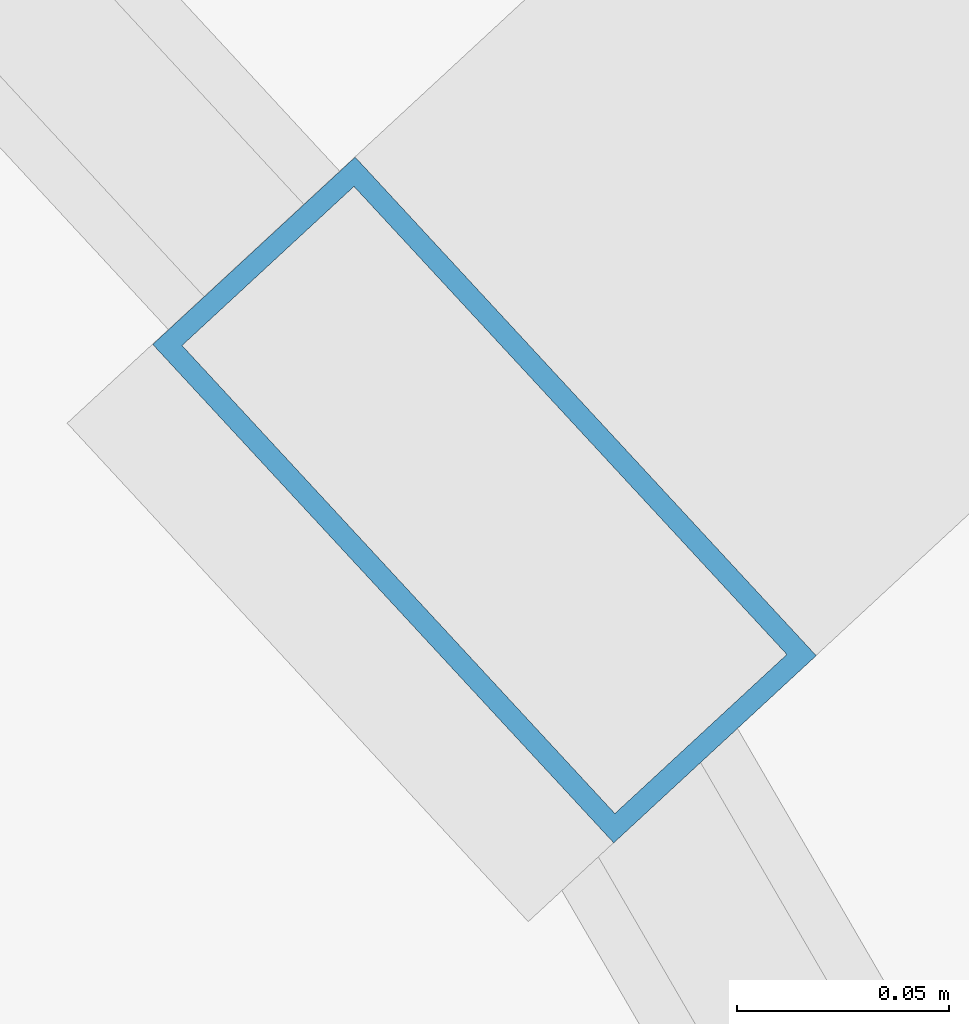
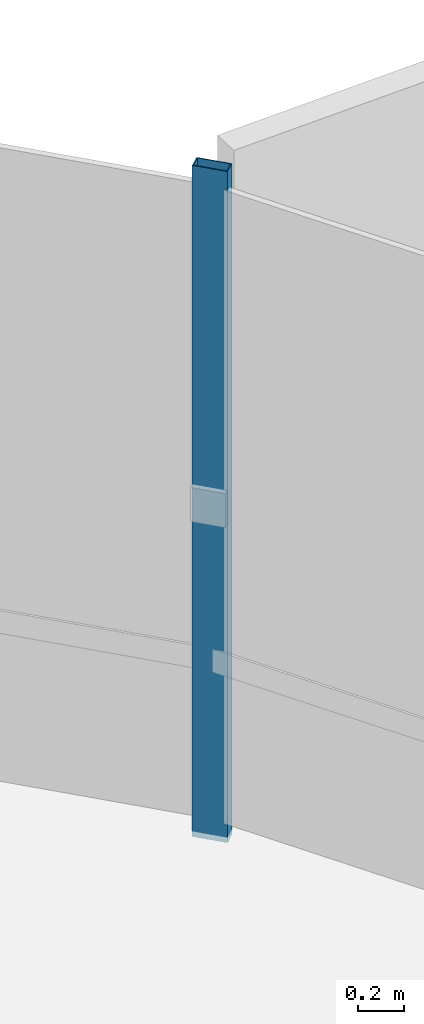
# One storey, part 24 of 38: 1 member, 1 element without a shape of its own.
"""IFC4 building model written with IfcOpenShell, lengths in metres."""

from ifc_helpers import new_model, si_unit, direction, frame, origin, origin_2d, place, context, subcontext, project, spatial, hollow_rectangle, extrude, source, transform, mapped, material, layer, layer_set, material_profile, profile_set, type_object, element, aggregate, save


model = new_model("IFC4")

# Units and contexts
model_context = context("Model", 3, precision=1e-05, world=origin(), true_north=direction((0.0, 1.0)))
body_context = subcontext(model_context, "Body", "Model", "MODEL_VIEW")
ifc_project = project(units=[si_unit("LENGTHUNIT", "METRE"), si_unit("AREAUNIT", "SQUARE_METRE"), si_unit("VOLUMEUNIT", "CUBIC_METRE"), si_unit("PLANEANGLEUNIT", "RADIAN"), si_unit("MASSUNIT", "GRAM", prefix="KILO"), si_unit("THERMODYNAMICTEMPERATUREUNIT", "KELVIN")], contexts=[model_context])

# Site, building, storey
site_placement = place(None, origin())
site = spatial("IfcSite", under=ifc_project, at=site_placement, CompositionType="ELEMENT")
building_placement = place(site_placement, origin())
building = spatial("IfcBuilding", under=site, at=building_placement, Name="Kethvar Cultural Tower", CompositionType="ELEMENT")
storey_placement = place(building_placement, frame((0.0, 0.0, 63.800048828125)))
storey = spatial("IfcBuildingStorey", under=building, at=storey_placement, Name="L15", CompositionType="ELEMENT", Elevation=63.800048828125)

# Curtain wall, member
ifc_material = material(Name="Aluminium 6063-T6", Category="aluminium")
ifc_layer = layer(ifc_material, 0.179931640625, Name="Aluminium 6063-T6", Category="aluminium")
ifc_layer_set = layer_set([ifc_layer], Name="Aluminium 6063-T6 (180 mm)")
curtain_wall_type = type_object("IfcCurtainWallType", Name="CW-SYS-02-Z1", PredefinedType="NOTDEFINED", material=ifc_layer_set)
curtain_wall_placement = place(storey_placement, origin())
curtain_wall = element("IfcCurtainWall", 1, at=curtain_wall_placement, inside=storey, type_object=curtain_wall_type, Name="L15 Curtain Wall Run 01", PredefinedType="NOTDEFINED")
ifc_material_profile = material_profile(ifc_material, hollow_rectangle(XDim=0.06494140625, YDim=0.159912109375, WallThickness=0.0048828125, at=origin_2d()), Name="Aluminium 6063-T6 — RHS160x65x5")
ifc_profile_set = profile_set([ifc_material_profile], Name="Aluminium 6063-T6 — RHS160x65x5")
member_type = type_object("IfcMemberType", Name="CW-SYS-02-Z1-MUL", PredefinedType="MULLION", material=ifc_profile_set)
shared_shape = source(origin(), body_context, "Body", "SweptSolid", [
    extrude(hollow_rectangle(XDim=0.06494140625, YDim=0.159912109375, WallThickness=0.0048828125, at=origin_2d()), origin(), (0.0, 0.0, 1.0), 3.550048828125),
])
member_placement = place(storey_placement, frame((77.27685546875, 40.93701171875, 0.0), z_axis=(0.0, 0.0, 1.0), x_axis=(-0.734132923879, -0.679005780592, 0.0)))
member = element("IfcMember", 2, at=member_placement, type_object=member_type, Name="CW-L15-R01 Mullion 3", PredefinedType="MULLION", context=body_context, shape_type="MappedRepresentation", body=[
    mapped(shared_shape, transform((0.0, 0.0, 0.0), scale=1.0)),
])
aggregate(curtain_wall, [member])

save(model, "model.ifc")
